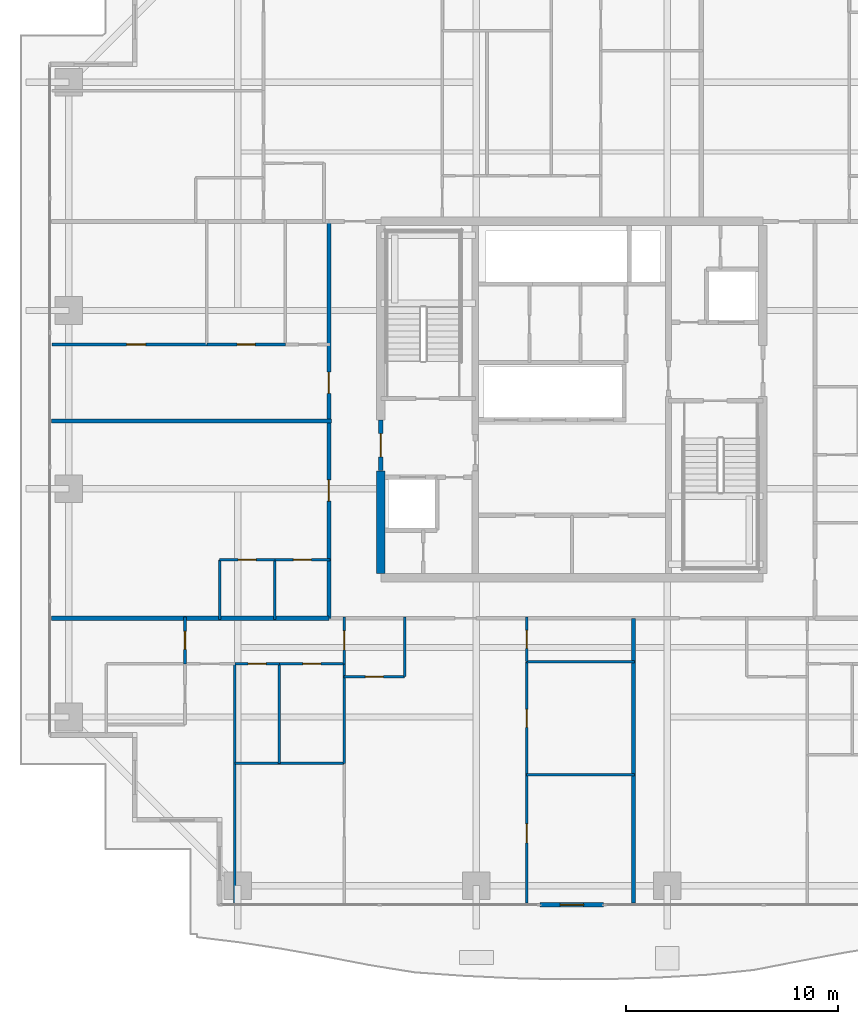
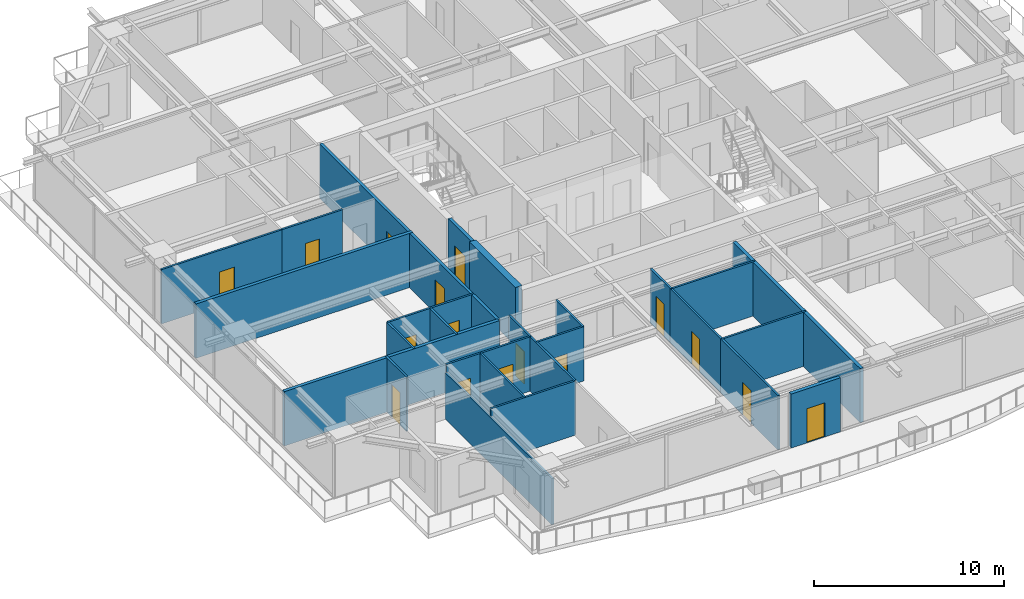
# One storey, part 27 of 38: 28 walls, 16 doors, 16 openings.
"""IFC4 building model written with IfcOpenShell, lengths in metres."""

import ifcopenshell
import ifcopenshell.guid

model = None  # the IFC model being written
_history = None  # IfcOwnerHistory: only IFC2X3 demands one
_inside = {}  # id of a spatial element -> (the spatial element, [elements in it])
_under = {}  # id of a project, library or spatial element -> (it, [spatial elements below it])
_declared = {}  # id of a project -> (the project, [libraries it declares])
_typed = {}  # id of a type object -> (the type object, [elements of that type])
_made_of = {}  # id of a material, layer set ... -> (it, [elements and type objects made of it])


def new_model(schema):
    """Start an empty IFC model of exactly this schema.

    Asked for "IFC4X3", IfcOpenShell would pick the latest addendum, in which some entities
    have other attributes; the version numbers below select the first issue.
    IFC2X3 requires an IfcOwnerHistory on every rooted entity: one is made here for all.
    """
    global model, _history
    if schema == "IFC4X3":
        model = ifcopenshell.file(schema_version=(4, 3, 0, 0))
    else:
        model = ifcopenshell.file(schema=schema)
    _inside.clear()
    _under.clear()
    _declared.clear()
    _typed.clear()
    _made_of.clear()
    _history = None
    if model.schema == "IFC2X3":
        org = make("IfcOrganization", Name="unknown")
        user = make(
            "IfcPersonAndOrganization",
            ThePerson=make("IfcPerson", FamilyName="unknown"),
            TheOrganization=org,
        )
        app = make(
            "IfcApplication",
            ApplicationDeveloper=org,
            Version="unknown",
            ApplicationFullName="unknown",
            ApplicationIdentifier="unknown",
        )
        _history = make(
            "IfcOwnerHistory",
            OwningUser=user,
            OwningApplication=app,
            ChangeAction="ADDED",
            CreationDate=0,
        )
    return model


def make(cls, **values):
    """One entity of the class cls with the attributes given. An attribute that is None is left unset."""
    return model.create_entity(
        cls, **{name: value for name, value in values.items() if value is not None}
    )


def rooted(cls, **values):
    """An entity with a GlobalId (a new one), such as an element, a storey or a relation."""
    return make(cls, GlobalId=ifcopenshell.guid.new(), OwnerHistory=_history, **values)


def si_unit(unit_type, name, prefix=None):
    """IfcSIUnit, for example si_unit("LENGTHUNIT", "METRE", prefix="MILLI")."""
    return make("IfcSIUnit", UnitType=unit_type, Prefix=prefix, Name=name)


def assignment(units):
    """IfcUnitAssignment: the units of a project."""
    return None if units is None else make("IfcUnitAssignment", Units=units)


def point(xyz):
    """IfcCartesianPoint."""
    return None if xyz is None else make("IfcCartesianPoint", Coordinates=xyz)


def direction(xyz):
    """IfcDirection."""
    return None if xyz is None else make("IfcDirection", DirectionRatios=xyz)


def frame(location, z_axis=None, x_axis=None):
    """IfcAxis2Placement3D, a coordinate frame: its origin and axes. An axis left out is left unset."""
    return make(
        "IfcAxis2Placement3D",
        Location=point(location),
        Axis=direction(z_axis),
        RefDirection=direction(x_axis),
    )


def frame_2d(location, x_axis=None):
    """IfcAxis2Placement2D, a coordinate frame in the plane: its origin and x axis."""
    return make(
        "IfcAxis2Placement2D", Location=point(location), RefDirection=direction(x_axis)
    )


def origin():
    """The frame at (0, 0, 0) with its axes left unset."""
    return frame((0.0, 0.0, 0.0))


def place(relative_to, where):
    """IfcLocalPlacement: puts the frame where relative to a parent placement (None: the world)."""
    return make(
        "IfcLocalPlacement", PlacementRelTo=relative_to, RelativePlacement=where
    )


def context(
    kind, dimensions, precision=None, world=None, true_north=None, identifier=None
):
    """IfcGeometricRepresentationContext, for example the 3D "Model" context."""
    return make(
        "IfcGeometricRepresentationContext",
        ContextIdentifier=identifier,
        ContextType=kind,
        CoordinateSpaceDimension=dimensions,
        Precision=precision,
        WorldCoordinateSystem=world,
        TrueNorth=true_north,
    )


def subcontext(parent, identifier, kind, view, scale=None):
    """IfcGeometricRepresentationSubContext, for example "Body" below "Model"."""
    return make(
        "IfcGeometricRepresentationSubContext",
        ContextIdentifier=identifier,
        ContextType=kind,
        ParentContext=parent,
        TargetScale=scale,
        TargetView=view,
    )


def project(units=None, contexts=None):
    """IfcProject with its units and contexts."""
    return rooted(
        "IfcProject",
        Name="project",
        RepresentationContexts=contexts,
        UnitsInContext=assignment(units),
    )


def spatial(cls, under=None, at=None, **own):
    """A site, building, storey or space (cls), placed at a placement, below another one or the project."""
    s = rooted(cls, ObjectPlacement=at, **own)
    if under is not None:
        _under.setdefault(under.id(), (under, []))[1].append(s)
    return s


def profile(cls, at=None, kind="AREA", **sizes):
    """A parametric profile (cls). Its sizes go by their IFC names, for example OverallWidth=200.0."""
    return make(cls, ProfileType=kind, Position=at, **sizes)


def rectangle(**sizes):
    """IfcRectangleProfileDef."""
    return profile("IfcRectangleProfileDef", **sizes)


def extrude(swept, where, along, depth):
    """IfcExtrudedAreaSolid: the profile swept, set in the frame where, extruded along a direction by depth."""
    return make(
        "IfcExtrudedAreaSolid",
        SweptArea=swept,
        Position=where,
        ExtrudedDirection=direction(along),
        Depth=depth,
    )


def shape(context_of_items, identifier, shape_type, items):
    """IfcShapeRepresentation: the items that make up one representation, for example the "Body"."""
    return make(
        "IfcShapeRepresentation",
        ContextOfItems=context_of_items,
        RepresentationIdentifier=identifier,
        RepresentationType=shape_type,
        Items=items,
    )


def source(mapping_origin, context_of_items, identifier, shape_type, items):
    """IfcRepresentationMap: a shape defined once, which mapped items show again and again."""
    return make(
        "IfcRepresentationMap",
        MappingOrigin=mapping_origin,
        MappedRepresentation=shape(context_of_items, identifier, shape_type, items),
    )


def transform(
    local_origin,
    x_axis=None,
    y_axis=None,
    z_axis=None,
    scale=None,
    scale2=None,
    scale3=None,
    uniform=True,
):
    """IfcCartesianTransformationOperator3D, or its non-uniform kind. x_axis, y_axis, z_axis: its Axis1, 2, 3."""
    if uniform:
        return make(
            "IfcCartesianTransformationOperator3D",
            Axis1=direction(x_axis),
            Axis2=direction(y_axis),
            LocalOrigin=point(local_origin),
            Scale=scale,
            Axis3=direction(z_axis),
        )
    return make(
        "IfcCartesianTransformationOperator3DnonUniform",
        Axis1=direction(x_axis),
        Axis2=direction(y_axis),
        LocalOrigin=point(local_origin),
        Scale=scale,
        Axis3=direction(z_axis),
        Scale2=scale2,
        Scale3=scale3,
    )


def mapped(mapping_source, mapping_target):
    """IfcMappedItem: shows the shape of a source again, moved by a transform."""
    return make(
        "IfcMappedItem", MappingSource=mapping_source, MappingTarget=mapping_target
    )


def material(Name=None, Category=None):
    """IfcMaterial."""
    return make("IfcMaterial", Name=Name, Category=Category)


def layer(
    of_material, thickness, ventilated=None, Name=None, Category=None, Priority=None
):
    """IfcMaterialLayer: one layer of a wall or slab, of a material (None: an air gap)."""
    return make(
        "IfcMaterialLayer",
        Material=of_material,
        LayerThickness=thickness,
        IsVentilated=ventilated,
        Name=Name,
        Category=Category,
        Priority=Priority,
    )


def layer_set(layers, Name=None):
    """IfcMaterialLayerSet."""
    return make("IfcMaterialLayerSet", MaterialLayers=layers, LayerSetName=Name)


def made_of(thing, what):
    """Note that an element or type object is made of a material, layer set ...; save() writes the relation."""
    if what is not None:
        _made_of.setdefault(what.id(), (what, []))[1].append(thing)
    return thing


def type_object(cls, material=None, **own):
    """A type object (cls), such as IfcWallType, which elements share."""
    return made_of(rooted(cls, **own), material)


def element(
    cls,
    number,
    at=None,
    inside=None,
    cuts=None,
    type_object=None,
    material=None,
    context=None,
    identifier="Body",
    shape_type=None,
    held_by="IfcProductDefinitionShape",
    body=None,
    shapes=None,
    **own,
):
    """One element of the class cls, such as IfcWall. Its Tag is "e" and its number.

    at: its placement. inside: the storey or other place that contains it. cuts: it is an
    opening in that element (IfcRelVoidsElement). A single representation is given by context,
    identifier, shape_type and body (its items); several are given by shapes. held_by: the class
    of the entity that holds the representations. save() writes the other relations.
    """
    e = rooted(cls, Tag="e%d" % number, ObjectPlacement=at, **own)
    if body is not None:
        shapes = [shape(context, identifier, shape_type, body)]
    if shapes is not None:
        e.Representation = make(held_by, Representations=shapes)
    if inside is not None:
        _inside.setdefault(inside.id(), (inside, []))[1].append(e)
    if cuts is not None:
        rooted(
            "IfcRelVoidsElement", RelatingBuildingElement=cuts, RelatedOpeningElement=e
        )
    if type_object is not None:
        _typed.setdefault(type_object.id(), (type_object, []))[1].append(e)
    return made_of(e, material)


def fill(opening, filler):
    """IfcRelFillsElement: the door or window that sits in an opening."""
    return rooted(
        "IfcRelFillsElement",
        RelatingOpeningElement=opening,
        RelatedBuildingElement=filler,
    )


def aggregate(whole, parts):
    """IfcRelAggregates: a whole, such as a stair, and the parts it consists of."""
    return rooted("IfcRelAggregates", RelatingObject=whole, RelatedObjects=parts)


def save(model, path):
    """Write the relations noted so far, then the file.

    IfcRelAggregates (storeys below a building ...), IfcRelContainedInSpatialStructure (elements
    in a storey), IfcRelDefinesByType, IfcRelAssociatesMaterial and IfcRelDeclares: one each for
    every whole, place, type object, material and project.
    """
    for whole, parts in _under.values():
        aggregate(whole, parts)
    for where, things in _inside.values():
        rooted(
            "IfcRelContainedInSpatialStructure",
            RelatedElements=things,
            RelatingStructure=where,
        )
    for kind, things in _typed.values():
        rooted("IfcRelDefinesByType", RelatedObjects=things, RelatingType=kind)
    for what, things in _made_of.values():
        rooted("IfcRelAssociatesMaterial", RelatedObjects=things, RelatingMaterial=what)
    for by, libraries in _declared.values():
        rooted("IfcRelDeclares", RelatingContext=by, RelatedDefinitions=libraries)
    model.write(path)


model = new_model("IFC4")

# Units and contexts
model_context = context("Model", 3, precision=1e-05, world=origin(), true_north=direction((0.0, 1.0)))
body_context = subcontext(model_context, "Body", "Model", "MODEL_VIEW")
ifc_project = project(units=[si_unit("LENGTHUNIT", "METRE"), si_unit("AREAUNIT", "SQUARE_METRE"), si_unit("VOLUMEUNIT", "CUBIC_METRE"), si_unit("PLANEANGLEUNIT", "RADIAN"), si_unit("MASSUNIT", "GRAM", prefix="KILO")], contexts=[model_context])

# Site, building, storey
site_placement = place(None, origin())
site = spatial("IfcSite", under=ifc_project, at=site_placement, CompositionType="ELEMENT")
building_placement = place(site_placement, origin())
building = spatial("IfcBuilding", under=site, at=building_placement, Name="Serunith Strait Residences", CompositionType="ELEMENT")
storey_placement = place(building_placement, frame((0.0, 0.0, 176.39990234375)))
storey = spatial("IfcBuildingStorey", under=building, at=storey_placement, Name="L44", CompositionType="ELEMENT", Elevation=176.39990234375)

# Wall, opening, door
ifc_material_1 = material(Name="Pale-Champagne Aluminium Insulated Panel", Category="aluminium")
ifc_layer_1 = layer(ifc_material_1, 0.219970703125, Name="Pale-Champagne Aluminium Insulated Panel")
ifc_layer_set_1 = layer_set([ifc_layer_1], Name="Pale-Champagne Aluminium Insulated Panel")
wall_type_1 = type_object("IfcWallType", Name="EW-ALUM-220", PredefinedType="ELEMENTEDWALL", material=ifc_layer_set_1)
wall_1_placement = place(storey_placement, frame((30.89990234375, 1.39990234375, 0.0), z_axis=(0.0, 0.0, 1.0), x_axis=(1.0, 0.0, 0.0)))
wall_1 = element("IfcWall", 1, at=wall_1_placement, inside=storey, type_object=wall_type_1, Name="L44 S Facade Pier Wall", PredefinedType="ELEMENTEDWALL", context=body_context, shape_type="SweptSolid", body=[
    extrude(rectangle(XDim=3.0, YDim=0.219970703125, at=frame_2d((1.5, 0.0))), origin(), (0.0, 0.0, 1.0), 3.47509765625),
])
opening_1_placement = place(wall_1_placement, frame((0.949951171875, 0.0, 0.0)))
opening_1 = element("IfcOpeningElement", 2, at=opening_1_placement, cuts=wall_1, Name="Opening ED-03", PredefinedType="OPENING", context=body_context, shape_type="SweptSolid", body=[
    extrude(rectangle(XDim=1.10009765625, YDim=2.199951171875, at=frame_2d((0.550048828125, 1.10009765625))), frame((0.0, 0.1201171875, 0.0), z_axis=(0.0, -1.0, 0.0), x_axis=(1.0, 0.0, 0.0)), (0.0, 0.0, 1.0), 0.239990234375),
])
ifc_material_2 = material(Name="Thermally-Broken Aluminium Glazed Balcony Door", Category="aluminium")
door_type_1 = type_object("IfcDoorType", Name="ED-BALC-1100", OperationType="NOTDEFINED", PredefinedType="DOOR", material=ifc_material_2)
shared_shape_1 = source(origin(), body_context, "Body", "SweptSolid", [
    extrude(rectangle(XDim=1.10009765625, YDim=2.199951171875, at=frame_2d((0.550048828125, 1.10009765625))), frame((0.0, 0.02490234375, 0.0), z_axis=(0.0, -1.0, 0.0), x_axis=(1.0, 0.0, 0.0)), (0.0, 0.0, 1.0), 0.050048828125),
])
door_1_placement = place(opening_1_placement, origin())
door_1 = element("IfcDoor", 3, at=door_1_placement, inside=storey, type_object=door_type_1, Name="L44 S Vertical-Forest Balcony Door", OperationType="SINGLE_SWING_LEFT", OverallHeight=2.199951171875, OverallWidth=1.10009765625, PredefinedType="DOOR", context=body_context, shape_type="MappedRepresentation", body=[
    mapped(shared_shape_1, transform((0.0, 0.0, 0.0), scale=1.0)),
])
fill(opening_1, door_1)

# Wall, openings, doors
ifc_material_3 = material(Name="Fire-rated acoustic gypsum partition")
ifc_layer_2 = layer(ifc_material_3, 0.179931640625, Name="Fire-rated acoustic gypsum partition")
ifc_layer_set_2 = layer_set([ifc_layer_2], Name="Fire-rated acoustic gypsum partition")
wall_type_2 = type_object("IfcWallType", Name="IW-CORR-180", PredefinedType="PARTITIONING", material=ifc_layer_set_2)
wall_2_placement = place(storey_placement, frame((20.949951171875, 14.89990234375, 0.0), z_axis=(0.0, 0.0, 1.0), x_axis=(0.0, 1.0, 0.0)))
wall_2 = element("IfcWall", 4, at=wall_2_placement, inside=storey, type_object=wall_type_2, Name="L44 Partition Wall 028", PredefinedType="PARTITIONING", context=body_context, shape_type="SweptSolid", body=[
    extrude(rectangle(XDim=18.7001953125, YDim=0.179931640625, at=frame_2d((9.35009765625, 0.0))), origin(), (0.0, 0.0, 1.0), 3.489990234375),
])
opening_2_placement = place(wall_2_placement, frame((5.52197265625, 0.0, 0.0)))
opening_2 = element("IfcOpeningElement", 5, at=opening_2_placement, cuts=wall_2, Name="Opening D-APT1000", PredefinedType="OPENING", context=body_context, shape_type="SweptSolid", body=[
    extrude(rectangle(XDim=1.0, YDim=2.14990234375, at=frame_2d((0.5, 1.074951171875))), frame((0.0, 0.10009765625, 0.0), z_axis=(0.0, -1.0, 0.0), x_axis=(1.0, 0.0, 0.0)), (0.0, 0.0, 1.0), 0.199951171875),
])
opening_3_placement = place(wall_2_placement, frame((10.60205078125, 0.0, 0.0)))
opening_3 = element("IfcOpeningElement", 6, at=opening_3_placement, cuts=wall_2, Name="Opening D-APT1000", PredefinedType="OPENING", context=body_context, shape_type="SweptSolid", body=[
    extrude(rectangle(XDim=1.0, YDim=2.14990234375, at=frame_2d((0.5, 1.074951171875))), frame((0.0, 0.10009765625, 0.0), z_axis=(0.0, -1.0, 0.0), x_axis=(1.0, 0.0, 0.0)), (0.0, 0.0, 1.0), 0.199951171875),
])
ifc_material_4 = material(Name="Solid timber engineered fire door", Category="wood")
door_type_2 = type_object("IfcDoorType", Name="ID-APT-1000", OperationType="NOTDEFINED", PredefinedType="DOOR", material=ifc_material_4)
shared_shape_2 = source(origin(), body_context, "Body", "SweptSolid", [
    extrude(rectangle(XDim=1.0, YDim=2.14990234375, at=frame_2d((0.5, 1.074951171875))), frame((0.0, 0.02490234375, 0.0), z_axis=(0.0, -1.0, 0.0), x_axis=(1.0, 0.0, 0.0)), (0.0, 0.0, 1.0), 0.050048828125),
])
door_2_placement = place(opening_2_placement, origin())
door_2 = element("IfcDoor", 7, at=door_2_placement, inside=storey, type_object=door_type_2, Name="L44 Unit 05 Entrance Door", OperationType="SINGLE_SWING_LEFT", OverallHeight=2.14990234375, OverallWidth=1.0, PredefinedType="DOOR", context=body_context, shape_type="MappedRepresentation", body=[
    mapped(shared_shape_2, transform((0.0, 0.0, 0.0), scale=1.0)),
])
fill(opening_2, door_2)
door_3_placement = place(opening_3_placement, origin())
door_3 = element("IfcDoor", 8, at=door_3_placement, inside=storey, type_object=door_type_2, Name="L44 Unit 06 Entrance Door", OperationType="SINGLE_SWING_RIGHT", OverallHeight=2.14990234375, OverallWidth=1.0, PredefinedType="DOOR", context=body_context, shape_type="MappedRepresentation", body=[
    mapped(shared_shape_2, transform((0.0, 0.0, 0.0), scale=1.0)),
])
fill(opening_3, door_3)

# Wall, opening, door
ifc_material_5 = material(Name="Lightweight steel-stud gypsum partition", Category="steel")
ifc_layer_3 = layer(ifc_material_5, 0.1201171875, Name="Lightweight steel-stud gypsum partition")
ifc_layer_set_3 = layer_set([ifc_layer_3], Name="Lightweight steel-stud gypsum partition")
wall_type_3 = type_object("IfcWallType", Name="IW-PART-120", PredefinedType="PARTITIONING", material=ifc_layer_set_3)
wall_3_placement = place(storey_placement, frame((21.669921875, 12.14990234375, 0.0), z_axis=(0.0, 0.0, 1.0), x_axis=(1.0, 0.0, 0.0)))
wall_3 = element("IfcWall", 9, at=wall_3_placement, inside=storey, type_object=wall_type_3, Name="L44 Partition Wall 032", PredefinedType="PARTITIONING", context=body_context, shape_type="SweptSolid", body=[
    extrude(rectangle(XDim=2.85009765625, YDim=0.1201171875, at=frame_2d((1.425048828125, 0.0))), origin(), (0.0, 0.0, 1.0), 3.489990234375),
])
opening_4_placement = place(wall_3_placement, frame((1.0, 0.0, 0.0)))
opening_4 = element("IfcOpeningElement", 10, at=opening_4_placement, cuts=wall_3, Name="Opening D-RM850", PredefinedType="OPENING", context=body_context, shape_type="SweptSolid", body=[
    extrude(rectangle(XDim=0.85009765625, YDim=2.10009765625, at=frame_2d((0.425048828125, 1.050048828125))), frame((0.0, 0.070068359375, 0.0), z_axis=(0.0, -1.0, 0.0), x_axis=(1.0, 0.0, 0.0)), (0.0, 0.0, 1.0), 0.14013671875),
])
ifc_material_6 = material(Name="Engineered timber flush study and kitchen door", Category="wood")
door_type_3 = type_object("IfcDoorType", Name="ID-ROOM-850", OperationType="NOTDEFINED", PredefinedType="DOOR", material=ifc_material_6)
shared_shape_3 = source(origin(), body_context, "Body", "SweptSolid", [
    extrude(rectangle(XDim=0.85009765625, YDim=2.10009765625, at=frame_2d((0.425048828125, 1.050048828125))), frame((0.0, 0.02490234375, 0.0), z_axis=(0.0, -1.0, 0.0), x_axis=(1.0, 0.0, 0.0)), (0.0, 0.0, 1.0), 0.050048828125),
])
door_4_placement = place(opening_4_placement, origin())
door_4 = element("IfcDoor", 11, at=door_4_placement, inside=storey, type_object=door_type_3, Name="L44 Kitchen 4401 Door", OperationType="SINGLE_SWING_RIGHT", OverallHeight=2.10009765625, OverallWidth=0.85009765625, PredefinedType="DOOR", context=body_context, shape_type="MappedRepresentation", body=[
    mapped(shared_shape_3, transform((0.0, 0.0, 0.0), scale=1.0)),
])
fill(opening_4, door_4)

# Wall
wall_4_placement = place(storey_placement, frame((24.52001953125, 12.14990234375, 0.0), z_axis=(0.0, 0.0, 1.0), x_axis=(0.0, 1.0, 0.0)))
element("IfcWall", 12, at=wall_4_placement, inside=storey, type_object=wall_type_3, Name="L44 Partition Wall 033", PredefinedType="PARTITIONING", context=body_context, shape_type="SweptSolid", body=[
    extrude(rectangle(XDim=2.81005859375, YDim=0.1201171875, at=frame_2d((1.405029296875, 0.0))), origin(), (0.0, 0.0, 1.0), 3.489990234375),
])

# Wall, opening, door
wall_5_placement = place(storey_placement, frame((21.669921875, 12.75, 0.0), z_axis=(0.0, 0.0, 1.0), x_axis=(0.0, 1.0, 0.0)))
wall_5 = element("IfcWall", 13, at=wall_5_placement, inside=storey, type_object=wall_type_3, Name="L44 Partition Wall 034", PredefinedType="PARTITIONING", context=body_context, shape_type="SweptSolid", body=[
    extrude(rectangle(XDim=2.2099609375, YDim=0.1201171875, at=frame_2d((1.10498046875, 0.0))), origin(), (0.0, 0.0, 1.0), 3.489990234375),
])
opening_5_placement = place(wall_5_placement, frame((0.655029296875, 0.0, 0.0)))
opening_5 = element("IfcOpeningElement", 14, at=opening_5_placement, cuts=wall_5, Name="Opening D-RM900", PredefinedType="OPENING", context=body_context, shape_type="SweptSolid", body=[
    extrude(rectangle(XDim=0.89990234375, YDim=2.10009765625, at=frame_2d((0.449951171875, 1.050048828125))), frame((0.0, 0.070068359375, 0.0), z_axis=(0.0, -1.0, 0.0), x_axis=(1.0, 0.0, 0.0)), (0.0, 0.0, 1.0), 0.14013671875),
])
ifc_material_7 = material(Name="Engineered timber flush bedroom door", Category="wood")
door_type_4 = type_object("IfcDoorType", Name="ID-ROOM-900", OperationType="NOTDEFINED", PredefinedType="DOOR", material=ifc_material_7)
shared_shape_4 = source(origin(), body_context, "Body", "SweptSolid", [
    extrude(rectangle(XDim=0.89990234375, YDim=2.10009765625, at=frame_2d((0.449951171875, 1.050048828125))), frame((0.0, 0.02490234375, 0.0), z_axis=(0.0, -1.0, 0.0), x_axis=(1.0, 0.0, 0.0)), (0.0, 0.0, 1.0), 0.050048828125),
])
door_5_placement = place(opening_5_placement, origin())
door_5 = element("IfcDoor", 15, at=door_5_placement, inside=storey, type_object=door_type_4, Name="L44 Hall W 4401 Door", OperationType="SINGLE_SWING_LEFT", OverallHeight=2.10009765625, OverallWidth=0.89990234375, PredefinedType="DOOR", context=body_context, shape_type="MappedRepresentation", body=[
    mapped(shared_shape_4, transform((0.0, 0.0, 0.0), scale=1.0)),
])
fill(opening_5, door_5)

# Walls
wall_6_placement = place(storey_placement, frame((21.669921875, 8.06494140625, 0.0), z_axis=(0.0, 0.0, 1.0), x_axis=(0.0, 1.0, 0.0)))
element("IfcWall", 16, at=wall_6_placement, inside=storey, type_object=wall_type_3, Name="L44 Partition Wall 036", PredefinedType="PARTITIONING", context=body_context, shape_type="SweptSolid", body=[
    extrude(rectangle(XDim=4.68310546875, YDim=0.1201171875, at=frame_2d((2.341552734375, 0.0))), origin(), (0.0, 0.0, 1.0), 3.489990234375),
])
wall_7_placement = place(storey_placement, frame((16.52001953125, 8.06298828125, 0.0), z_axis=(0.0, 0.0, 1.0), x_axis=(1.0, 0.0, 0.0)))
element("IfcWall", 17, at=wall_7_placement, inside=storey, type_object=wall_type_3, Name="L44 Partition Wall 037", PredefinedType="PARTITIONING", context=body_context, shape_type="SweptSolid", body=[
    extrude(rectangle(XDim=5.14990234375, YDim=0.1201171875, at=frame_2d((2.574951171875, 0.0))), origin(), (0.0, 0.0, 1.0), 3.489990234375),
])
wall_8_placement = place(storey_placement, frame((16.52001953125, 1.4951171875, 0.0), z_axis=(0.0, 0.0, 1.0), x_axis=(0.0, 1.0, 0.0)))
element("IfcWall", 18, at=wall_8_placement, inside=storey, type_object=wall_type_3, Name="L44 Partition Wall 038", PredefinedType="PARTITIONING", context=body_context, shape_type="SweptSolid", body=[
    extrude(rectangle(XDim=11.2548828125, YDim=0.1201171875, at=frame_2d((5.62744140625, 0.0))), origin(), (0.0, 0.0, 1.0), 2.97216796875),
])
wall_9_placement = place(storey_placement, frame((18.6201171875, 8.06298828125, 0.0), z_axis=(0.0, 0.0, 1.0), x_axis=(0.0, 1.0, 0.0)))
element("IfcWall", 19, at=wall_9_placement, inside=storey, type_object=wall_type_3, Name="L44 Partition Wall 039", PredefinedType="PARTITIONING", context=body_context, shape_type="SweptSolid", body=[
    extrude(rectangle(XDim=4.68701171875, YDim=0.1201171875, at=frame_2d((2.343505859375, 0.0))), origin(), (0.0, 0.0, 1.0), 3.489990234375),
])

# Wall, opening, door
wall_10_placement = place(storey_placement, frame((16.52001953125, 12.75, 0.0), z_axis=(0.0, 0.0, 1.0), x_axis=(1.0, 0.0, 0.0)))
wall_10 = element("IfcWall", 20, at=wall_10_placement, inside=storey, type_object=wall_type_3, Name="L44 Partition Wall 040", PredefinedType="PARTITIONING", context=body_context, shape_type="SweptSolid", body=[
    extrude(rectangle(XDim=2.10009765625, YDim=0.1201171875, at=frame_2d((1.050048828125, 0.0))), origin(), (0.0, 0.0, 1.0), 3.489990234375),
])
opening_6_placement = place(wall_10_placement, frame((0.625, 0.0, 0.0)))
opening_6 = element("IfcOpeningElement", 21, at=opening_6_placement, cuts=wall_10, Name="Opening D-BTH850", PredefinedType="OPENING", context=body_context, shape_type="SweptSolid", body=[
    extrude(rectangle(XDim=0.85009765625, YDim=2.10009765625, at=frame_2d((0.425048828125, 1.050048828125))), frame((0.0, 0.070068359375, 0.0), z_axis=(0.0, -1.0, 0.0), x_axis=(1.0, 0.0, 0.0)), (0.0, 0.0, 1.0), 0.14013671875),
])
ifc_material_8 = material(Name="Moisture-resistant timber bathroom door", Category="wood")
door_type_5 = type_object("IfcDoorType", Name="ID-BATH-850", OperationType="NOTDEFINED", PredefinedType="DOOR", material=ifc_material_8)
door_6_placement = place(opening_6_placement, origin())
door_6 = element("IfcDoor", 22, at=door_6_placement, inside=storey, type_object=door_type_5, Name="L44 Bathroom 4401 Door", OperationType="SINGLE_SWING_LEFT", OverallHeight=2.10009765625, OverallWidth=0.85009765625, PredefinedType="DOOR", context=body_context, shape_type="MappedRepresentation", body=[
    mapped(shared_shape_3, transform((0.0, 0.0, 0.0), scale=1.0)),
])
fill(opening_6, door_6)

wall_11_placement = place(storey_placement, frame((18.6220703125, 12.75, 0.0), z_axis=(0.0, 0.0, 1.0), x_axis=(1.0, 0.0, 0.0)))
wall_11 = element("IfcWall", 23, at=wall_11_placement, inside=storey, type_object=wall_type_3, Name="L44 Partition Wall 041", PredefinedType="PARTITIONING", context=body_context, shape_type="SweptSolid", body=[
    extrude(rectangle(XDim=3.0478515625, YDim=0.1201171875, at=frame_2d((1.52392578125, 0.0))), origin(), (0.0, 0.0, 1.0), 3.489990234375),
])
opening_7_placement = place(wall_11_placement, frame((1.09912109375, 0.0, 0.0)))
opening_7 = element("IfcOpeningElement", 24, at=opening_7_placement, cuts=wall_11, Name="Opening D-RM850", PredefinedType="OPENING", context=body_context, shape_type="SweptSolid", body=[
    extrude(rectangle(XDim=0.85009765625, YDim=2.10009765625, at=frame_2d((0.425048828125, 1.050048828125))), frame((0.0, 0.070068359375, 0.0), z_axis=(0.0, -1.0, 0.0), x_axis=(1.0, 0.0, 0.0)), (0.0, 0.0, 1.0), 0.14013671875),
])
door_7_placement = place(opening_7_placement, origin())
door_7 = element("IfcDoor", 25, at=door_7_placement, inside=storey, type_object=door_type_3, Name="L44 Formal Dining Room 4401 Door", OperationType="SINGLE_SWING_RIGHT", OverallHeight=2.10009765625, OverallWidth=0.85009765625, PredefinedType="DOOR", context=body_context, shape_type="MappedRepresentation", body=[
    mapped(shared_shape_3, transform((0.0, 0.0, 0.0), scale=1.0)),
])
fill(opening_7, door_7)

wall_12_placement = place(storey_placement, frame((14.169921875, 12.751953125, 0.0), z_axis=(0.0, 0.0, 1.0), x_axis=(0.0, 1.0, 0.0)))
wall_12 = element("IfcWall", 26, at=wall_12_placement, inside=storey, type_object=wall_type_3, Name="L44 Partition Wall 047", PredefinedType="PARTITIONING", context=body_context, shape_type="SweptSolid", body=[
    extrude(rectangle(XDim=2.2080078125, YDim=0.1201171875, at=frame_2d((1.10400390625, 0.0))), origin(), (0.0, 0.0, 1.0), 3.489990234375),
])
opening_8_placement = place(wall_12_placement, frame((0.678955078125, 0.0, 0.0)))
opening_8 = element("IfcOpeningElement", 27, at=opening_8_placement, cuts=wall_12, Name="Opening D-RM850", PredefinedType="OPENING", context=body_context, shape_type="SweptSolid", body=[
    extrude(rectangle(XDim=0.85009765625, YDim=2.10009765625, at=frame_2d((0.425048828125, 1.050048828125))), frame((0.0, 0.070068359375, 0.0), z_axis=(0.0, -1.0, 0.0), x_axis=(1.0, 0.0, 0.0)), (0.0, 0.0, 1.0), 0.14013671875),
])
door_8_placement = place(opening_8_placement, origin())
door_8 = element("IfcDoor", 28, at=door_8_placement, inside=storey, type_object=door_type_3, Name="L44 Wardrobe W 4401 Door", OperationType="SINGLE_SWING_LEFT", OverallHeight=2.10009765625, OverallWidth=0.85009765625, PredefinedType="DOOR", context=body_context, shape_type="MappedRepresentation", body=[
    mapped(shared_shape_3, transform((0.0, 0.0, 0.0), scale=1.0)),
])
fill(opening_8, door_8)

wall_13_placement = place(storey_placement, frame((30.27001953125, 1.4951171875, 0.0), z_axis=(0.0, 0.0, 1.0), x_axis=(0.0, 1.0, 0.0)))
wall_13 = element("IfcWall", 29, at=wall_13_placement, inside=storey, type_object=wall_type_3, Name="L44 Partition Wall 048", PredefinedType="PARTITIONING", context=body_context, shape_type="SweptSolid", body=[
    extrude(rectangle(XDim=6.02392578125, YDim=0.1201171875, at=frame_2d((3.011962890625, 0.0))), origin(), (0.0, 0.0, 1.0), 3.489990234375),
])
opening_9_placement = place(wall_13_placement, frame((2.818115234375, 0.0, 0.0)))
opening_9 = element("IfcOpeningElement", 30, at=opening_9_placement, cuts=wall_13, Name="Opening D-RM900", PredefinedType="OPENING", context=body_context, shape_type="SweptSolid", body=[
    extrude(rectangle(XDim=0.89990234375, YDim=2.10009765625, at=frame_2d((0.449951171875, 1.050048828125))), frame((0.0, 0.070068359375, 0.0), z_axis=(0.0, -1.0, 0.0), x_axis=(1.0, 0.0, 0.0)), (0.0, 0.0, 1.0), 0.14013671875),
])
door_9_placement = place(opening_9_placement, origin())
door_9 = element("IfcDoor", 31, at=door_9_placement, inside=storey, type_object=door_type_4, Name="L44 Bedroom 3 4401 Door", OperationType="SINGLE_SWING_RIGHT", OverallHeight=2.10009765625, OverallWidth=0.89990234375, PredefinedType="DOOR", context=body_context, shape_type="MappedRepresentation", body=[
    mapped(shared_shape_4, transform((0.0, 0.0, 0.0), scale=1.0)),
])
fill(opening_9, door_9)

# Walls
for number, where, z_axis, x_axis, name in (
    (32, (30.27001953125, 7.51904296875, 0.0), (0.0, 0.0, 1.0), (1.0, 0.0, 0.0), "L44 Partition Wall 049"),
    (33, (30.27001953125, 12.85009765625, 0.0), (0.0, 0.0, 1.0), (1.0, 0.0, 0.0), "L44 Partition Wall 050"),
):
    element("IfcWall", number, at=place(storey_placement, frame(where, z_axis=z_axis, x_axis=x_axis)), inside=storey, type_object=wall_type_3, Name=name, PredefinedType="PARTITIONING", context=body_context, shape_type="SweptSolid", body=[
        extrude(rectangle(XDim=5.090087890625, YDim=0.1201171875, at=frame_2d((2.544921875, 0.0))), origin(), (0.0, 0.0, 1.0), 3.489990234375),
    ])

# Wall, opening, door
wall_14_placement = place(storey_placement, frame((30.27001953125, 7.52099609375, 0.0), z_axis=(0.0, 0.0, 1.0), x_axis=(0.0, 1.0, 0.0)))
wall_14 = element("IfcWall", 34, at=wall_14_placement, inside=storey, type_object=wall_type_3, Name="L44 Partition Wall 051", PredefinedType="PARTITIONING", context=body_context, shape_type="SweptSolid", body=[
    extrude(rectangle(XDim=5.3291015625, YDim=0.1201171875, at=frame_2d((2.66455078125, 0.0))), origin(), (0.0, 0.0, 1.0), 3.489990234375),
])
opening_10_placement = place(wall_14_placement, frame((2.239990234375, 0.0, 0.0)))
opening_10 = element("IfcOpeningElement", 35, at=opening_10_placement, cuts=wall_14, Name="Opening D-RM850", PredefinedType="OPENING", context=body_context, shape_type="SweptSolid", body=[
    extrude(rectangle(XDim=0.85009765625, YDim=2.10009765625, at=frame_2d((0.425048828125, 1.050048828125))), frame((0.0, 0.070068359375, 0.0), z_axis=(0.0, -1.0, 0.0), x_axis=(1.0, 0.0, 0.0)), (0.0, 0.0, 1.0), 0.14013671875),
])
door_10_placement = place(opening_10_placement, origin())
door_10 = element("IfcDoor", 36, at=door_10_placement, inside=storey, type_object=door_type_3, Name="L44 Walk-in Wardrobe 4401 Door", OperationType="SINGLE_SWING_LEFT", OverallHeight=2.10009765625, OverallWidth=0.85009765625, PredefinedType="DOOR", context=body_context, shape_type="MappedRepresentation", body=[
    mapped(shared_shape_3, transform((0.0, 0.0, 0.0), scale=1.0)),
])
fill(opening_10, door_10)

wall_15_placement = place(storey_placement, frame((30.27001953125, 12.85205078125, 0.0), z_axis=(0.0, 0.0, 1.0), x_axis=(0.0, 1.0, 0.0)))
wall_15 = element("IfcWall", 37, at=wall_15_placement, inside=storey, type_object=wall_type_3, Name="L44 Partition Wall 052", PredefinedType="PARTITIONING", context=body_context, shape_type="SweptSolid", body=[
    extrude(rectangle(XDim=2.10791015625, YDim=0.1201171875, at=frame_2d((1.053955078125, 0.0))), origin(), (0.0, 0.0, 1.0), 3.489990234375),
])
opening_11_placement = place(wall_15_placement, frame((0.62890625, 0.0, 0.0)))
opening_11 = element("IfcOpeningElement", 38, at=opening_11_placement, cuts=wall_15, Name="Opening D-BTH850", PredefinedType="OPENING", context=body_context, shape_type="SweptSolid", body=[
    extrude(rectangle(XDim=0.85009765625, YDim=2.10009765625, at=frame_2d((0.425048828125, 1.050048828125))), frame((0.0, 0.070068359375, 0.0), z_axis=(0.0, -1.0, 0.0), x_axis=(1.0, 0.0, 0.0)), (0.0, 0.0, 1.0), 0.14013671875),
])
door_11_placement = place(opening_11_placement, origin())
door_11 = element("IfcDoor", 39, at=door_11_placement, inside=storey, type_object=door_type_5, Name="L44 Bathroom 4401 Door", OperationType="SINGLE_SWING_RIGHT", OverallHeight=2.10009765625, OverallWidth=0.85009765625, PredefinedType="DOOR", context=body_context, shape_type="MappedRepresentation", body=[
    mapped(shared_shape_3, transform((0.0, 0.0, 0.0), scale=1.0)),
])
fill(opening_11, door_11)

wall_16_placement = place(storey_placement, frame((15.800048828125, 17.64990234375, 0.0), z_axis=(0.0, 0.0, 1.0), x_axis=(1.0, 0.0, 0.0)))
wall_16 = element("IfcWall", 40, at=wall_16_placement, inside=storey, type_object=wall_type_3, Name="L44 Partition Wall 104", PredefinedType="PARTITIONING", context=body_context, shape_type="SweptSolid", body=[
    extrude(rectangle(XDim=2.599853515625, YDim=0.1201171875, at=frame_2d((1.2998046875, 0.0))), origin(), (0.0, 0.0, 1.0), 3.489990234375),
])
opening_12_placement = place(wall_16_placement, frame((0.875, 0.0, 0.0)))
opening_12 = element("IfcOpeningElement", 41, at=opening_12_placement, cuts=wall_16, Name="Opening D-RM850", PredefinedType="OPENING", context=body_context, shape_type="SweptSolid", body=[
    extrude(rectangle(XDim=0.85009765625, YDim=2.10009765625, at=frame_2d((0.425048828125, 1.050048828125))), frame((0.0, 0.070068359375, 0.0), z_axis=(0.0, -1.0, 0.0), x_axis=(1.0, 0.0, 0.0)), (0.0, 0.0, 1.0), 0.14013671875),
])
door_12_placement = place(opening_12_placement, origin())
door_12 = element("IfcDoor", 42, at=door_12_placement, inside=storey, type_object=door_type_3, Name="L44 Kitchen 4405 Door", OperationType="SINGLE_SWING_LEFT", OverallHeight=2.10009765625, OverallWidth=0.85009765625, PredefinedType="DOOR", context=body_context, shape_type="MappedRepresentation", body=[
    mapped(shared_shape_3, transform((0.0, 0.0, 0.0), scale=1.0)),
])
fill(opening_12, door_12)

wall_17_placement = place(storey_placement, frame((18.402099609375, 17.64990234375, 0.0), z_axis=(0.0, 0.0, 1.0), x_axis=(1.0, 0.0, 0.0)))
wall_17 = element("IfcWall", 43, at=wall_17_placement, inside=storey, type_object=wall_type_3, Name="L44 Partition Wall 105", PredefinedType="PARTITIONING", context=body_context, shape_type="SweptSolid", body=[
    extrude(rectangle(XDim=2.60791015625, YDim=0.1201171875, at=frame_2d((1.303955078125, 0.0))), origin(), (0.0, 0.0, 1.0), 3.489990234375),
])
opening_13_placement = place(wall_17_placement, frame((0.87890625, 0.0, 0.0)))
opening_13 = element("IfcOpeningElement", 44, at=opening_13_placement, cuts=wall_17, Name="Opening D-BTH850", PredefinedType="OPENING", context=body_context, shape_type="SweptSolid", body=[
    extrude(rectangle(XDim=0.85009765625, YDim=2.10009765625, at=frame_2d((0.425048828125, 1.050048828125))), frame((0.0, 0.070068359375, 0.0), z_axis=(0.0, -1.0, 0.0), x_axis=(1.0, 0.0, 0.0)), (0.0, 0.0, 1.0), 0.14013671875),
])
door_13_placement = place(opening_13_placement, origin())
door_13 = element("IfcDoor", 45, at=door_13_placement, inside=storey, type_object=door_type_5, Name="L44 Bathroom 4405 Door", OperationType="SINGLE_SWING_RIGHT", OverallHeight=2.10009765625, OverallWidth=0.85009765625, PredefinedType="DOOR", context=body_context, shape_type="MappedRepresentation", body=[
    mapped(shared_shape_3, transform((0.0, 0.0, 0.0), scale=1.0)),
])
fill(opening_13, door_13)

# Walls
for number, where, z_axis, x_axis, name in (
    (46, (18.39990234375, 14.840087890625, 0.0), (0.0, 0.0, 1.0), (0.0, 1.0, 0.0), "L44 Partition Wall 106"),
    (47, (15.800048828125, 14.840087890625, 0.0), (0.0, 0.0, 1.0), (0.0, 1.0, 0.0), "L44 Partition Wall 107"),
):
    element("IfcWall", number, at=place(storey_placement, frame(where, z_axis=z_axis, x_axis=x_axis)), inside=storey, type_object=wall_type_3, Name=name, PredefinedType="PARTITIONING", context=body_context, shape_type="SweptSolid", body=[
        extrude(rectangle(XDim=2.809814453125, YDim=0.1201171875, at=frame_2d((1.40478515625, 0.0))), origin(), (0.0, 0.0, 1.0), 3.489990234375),
    ])

# Wall, opening, door
wall_18_placement = place(storey_placement, frame((7.89501953125, 27.800048828125, 0.0), z_axis=(0.0, 0.0, 1.0), x_axis=(1.0, 0.0, 0.0)))
wall_18 = element("IfcWall", 48, at=wall_18_placement, inside=storey, type_object=wall_type_3, Name="L44 Partition Wall 108", PredefinedType="PARTITIONING", context=body_context, shape_type="SweptSolid", body=[
    extrude(rectangle(XDim=7.302978515625, YDim=0.1201171875, at=frame_2d((3.6513671875, 0.0))), origin(), (0.0, 0.0, 1.0), 3.489990234375),
])
opening_14_placement = place(wall_18_placement, frame((3.52197265625, 0.0, 0.0)))
opening_14 = element("IfcOpeningElement", 49, at=opening_14_placement, cuts=wall_18, Name="Opening D-RM900", PredefinedType="OPENING", context=body_context, shape_type="SweptSolid", body=[
    extrude(rectangle(XDim=0.89990234375, YDim=2.10009765625, at=frame_2d((0.449951171875, 1.050048828125))), frame((0.0, 0.070068359375, 0.0), z_axis=(0.0, -1.0, 0.0), x_axis=(1.0, 0.0, 0.0)), (0.0, 0.0, 1.0), 0.14013671875),
])
door_14_placement = place(opening_14_placement, origin())
door_14 = element("IfcDoor", 50, at=door_14_placement, inside=storey, type_object=door_type_4, Name="L44 Master Bedroom 1 4406 Door", OperationType="SINGLE_SWING_LEFT", OverallHeight=2.10009765625, OverallWidth=0.89990234375, PredefinedType="DOOR", context=body_context, shape_type="MappedRepresentation", body=[
    mapped(shared_shape_4, transform((0.0, 0.0, 0.0), scale=1.0)),
])
fill(opening_14, door_14)

wall_19_placement = place(storey_placement, frame((15.199951171875, 27.800048828125, 0.0), z_axis=(0.0, 0.0, 1.0), x_axis=(1.0, 0.0, 0.0)))
wall_19 = element("IfcWall", 51, at=wall_19_placement, inside=storey, type_object=wall_type_3, Name="L44 Partition Wall 111", PredefinedType="PARTITIONING", context=body_context, shape_type="SweptSolid", body=[
    extrude(rectangle(XDim=3.699951171875, YDim=0.1201171875, at=frame_2d((1.85009765625, 0.0))), origin(), (0.0, 0.0, 1.0), 3.489990234375),
])
opening_15_placement = place(wall_19_placement, frame((1.425048828125, 0.0, 0.0)))
opening_15 = element("IfcOpeningElement", 52, at=opening_15_placement, cuts=wall_19, Name="Opening D-RM850", PredefinedType="OPENING", context=body_context, shape_type="SweptSolid", body=[
    extrude(rectangle(XDim=0.85009765625, YDim=2.10009765625, at=frame_2d((0.425048828125, 1.050048828125))), frame((0.0, 0.070068359375, 0.0), z_axis=(0.0, -1.0, 0.0), x_axis=(1.0, 0.0, 0.0)), (0.0, 0.0, 1.0), 0.14013671875),
])
door_15_placement = place(opening_15_placement, origin())
door_15 = element("IfcDoor", 53, at=door_15_placement, inside=storey, type_object=door_type_3, Name="L44 Kitchen 4406 Door", OperationType="SINGLE_SWING_RIGHT", OverallHeight=2.10009765625, OverallWidth=0.85009765625, PredefinedType="DOOR", context=body_context, shape_type="MappedRepresentation", body=[
    mapped(shared_shape_3, transform((0.0, 0.0, 0.0), scale=1.0)),
])
fill(opening_15, door_15)

# Walls
ifc_material_9 = material(Name="Twin-stud acoustic gypsum board partition")
ifc_layer_4 = layer(ifc_material_9, 0.199951171875, Name="Twin-stud acoustic gypsum board partition")
ifc_layer_set_4 = layer_set([ifc_layer_4], Name="Twin-stud acoustic gypsum board partition")
wall_type_4 = type_object("IfcWallType", Name="IW-PARTY-200", PredefinedType="PARTITIONING", material=ifc_layer_set_4)
wall_20_placement = place(storey_placement, frame((35.300048828125, 1.48193359375, 0.0), z_axis=(0.0, 0.0, 1.0), x_axis=(0.0, 1.0, 0.0)))
element("IfcWall", 54, at=wall_20_placement, inside=storey, type_object=wall_type_4, Name="L44 Partition Wall 020", PredefinedType="PARTITIONING", context=body_context, shape_type="SweptSolid", body=[
    extrude(rectangle(XDim=13.41796875, YDim=0.199951171875, at=frame_2d((6.708984375, 0.0))), origin(), (0.0, 0.0, 1.0), 3.489990234375),
])
wall_21_placement = place(storey_placement, frame((7.882080078125, 24.199951171875, 0.0), z_axis=(0.0, 0.0, 1.0), x_axis=(1.0, 0.0, 0.0)))
element("IfcWall", 55, at=wall_21_placement, inside=storey, type_object=wall_type_4, Name="L44 Partition Wall 022", PredefinedType="PARTITIONING", context=body_context, shape_type="SweptSolid", body=[
    extrude(rectangle(XDim=13.18798828125, YDim=0.199951171875, at=frame_2d((6.593994140625, 0.0))), origin(), (0.0, 0.0, 1.0), 3.489990234375),
])
wall_22_placement = place(storey_placement, frame((7.882080078125, 14.89990234375, 0.0), z_axis=(0.0, 0.0, 1.0), x_axis=(1.0, 0.0, 0.0)))
element("IfcWall", 56, at=wall_22_placement, inside=storey, type_object=wall_type_4, Name="L44 Partition Wall 023", PredefinedType="PARTITIONING", context=body_context, shape_type="SweptSolid", body=[
    extrude(rectangle(XDim=13.06787109375, YDim=0.199951171875, at=frame_2d((6.533935546875, 0.0))), origin(), (0.0, 0.0, 1.0), 3.489990234375),
])

# Wall, opening, door
ifc_material_10 = material(Name="Autoclaved aerated concrete blockwork", Category="masonry")
ifc_layer_5 = layer(ifc_material_10, 0.199951171875, Name="Autoclaved aerated concrete blockwork")
ifc_layer_set_5 = layer_set([ifc_layer_5], Name="Autoclaved aerated concrete blockwork")
wall_type_5 = type_object("IfcWallType", Name="IW-SHAFT-200", PredefinedType="STANDARD", material=ifc_layer_set_5)
wall_23_placement = place(storey_placement, frame((23.39990234375, 21.85205078125, 0.0), z_axis=(0.0, 0.0, 1.0), x_axis=(0.0, 1.0, 0.0)))
wall_23 = element("IfcWall", 57, at=wall_23_placement, inside=storey, type_object=wall_type_5, Name="L44 Partition Wall 007", PredefinedType="STANDARD", context=body_context, shape_type="SweptSolid", body=[
    extrude(rectangle(XDim=2.39599609375, YDim=0.199951171875, at=frame_2d((1.197998046875, 0.0))), origin(), (0.0, 0.0, 1.0), 3.489990234375),
])
opening_16_placement = place(wall_23_placement, frame((0.64794921875, 0.0, 0.0)))
opening_16 = element("IfcOpeningElement", 58, at=opening_16_placement, cuts=wall_23, Name="Opening FD-FFL", PredefinedType="OPENING", context=body_context, shape_type="SweptSolid", body=[
    extrude(rectangle(XDim=1.10009765625, YDim=2.14990234375, at=frame_2d((0.550048828125, 1.074951171875))), frame((0.0, 0.10986328125, 0.0), z_axis=(0.0, -1.0, 0.0), x_axis=(1.0, 0.0, 0.0)), (0.0, 0.0, 1.0), 0.219970703125),
])
ifc_material_11 = material(Name="Glazed steel smoke-lobby fire door", Category="steel")
door_type_6 = type_object("IfcDoorType", Name="FD-FFL-1100", OperationType="NOTDEFINED", PredefinedType="DOOR", material=ifc_material_11)
shared_shape_5 = source(origin(), body_context, "Body", "SweptSolid", [
    extrude(rectangle(XDim=1.10009765625, YDim=2.14990234375, at=frame_2d((0.550048828125, 1.074951171875))), frame((0.0, 0.02490234375, 0.0), z_axis=(0.0, -1.0, 0.0), x_axis=(1.0, 0.0, 0.0)), (0.0, 0.0, 1.0), 0.050048828125),
])
door_16_placement = place(opening_16_placement, origin())
door_16 = element("IfcDoor", 59, at=door_16_placement, inside=storey, type_object=door_type_6, Name="L44 FFL-1 Corridor Fire Door", OperationType="SINGLE_SWING_RIGHT", OverallHeight=2.14990234375, OverallWidth=1.10009765625, PredefinedType="DOOR", context=body_context, shape_type="MappedRepresentation", body=[
    mapped(shared_shape_5, transform((0.0, 0.0, 0.0), scale=1.0)),
])
fill(opening_16, door_16)

# Wall
ifc_material_12 = material(Name="Concrete C70/85", Category="concrete")
ifc_layer_6 = layer(ifc_material_12, 0.39990234375, Name="Concrete C70/85")
ifc_layer_set_6 = layer_set([ifc_layer_6], Name="Concrete C70/85")
wall_type_6 = type_object("IfcWallType", Name="SW-400-C70", PredefinedType="SHEAR", material=ifc_layer_set_6)
wall_24_placement = place(storey_placement, frame((23.39990234375, 17.0, -0.260009765625), z_axis=(0.0, 0.0, 1.0), x_axis=(0.0, 1.0, 0.0)))
element("IfcWall", 60, at=wall_24_placement, inside=storey, type_object=wall_type_6, Name="L44 Core West Shear Wall South Pier", PredefinedType="SHEAR", context=body_context, shape_type="SweptSolid", body=[
    extrude(rectangle(XDim=4.85009765625, YDim=0.39990234375, at=frame_2d((2.425048828125, 0.0))), origin(), (0.0, 0.0, 1.0), 3.748046875),
])

save(model, "model.ifc")
